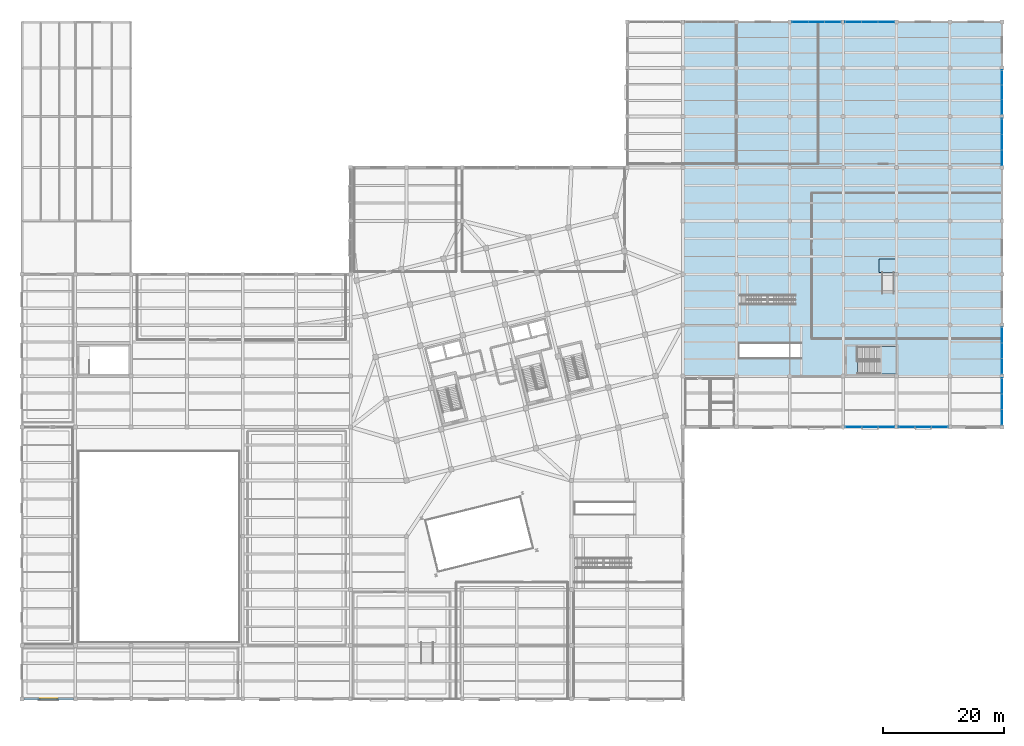
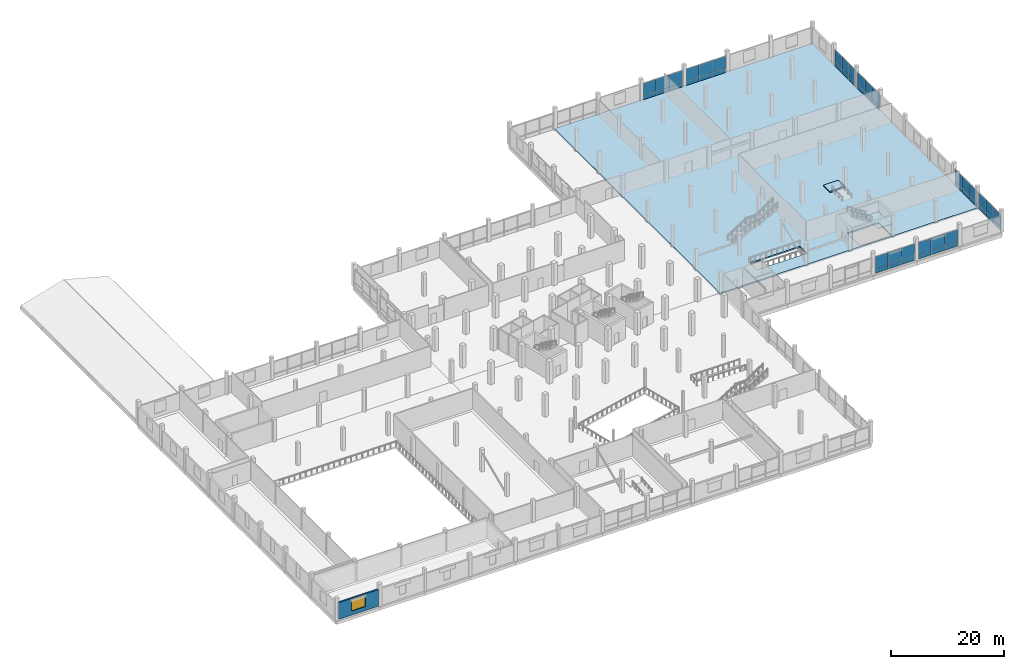
# One storey, part 55 of 71: 48 plates, 3 slabs, 1 wall, 1 window, 1 opening, 9 elements without a shape of their own.
"""IFC4 building model written with IfcOpenShell, lengths in metres."""

from ifc_helpers import new_model, si_unit, direction, frame, frame_2d, origin, origin_2d, place, context, subcontext, project, spatial, polyline, rectangle, outline, extrude, material, layer, layer_set, type_object, element, fill, aggregate, save


model = new_model("IFC4")

# Units and contexts
model_context = context("Model", 3, precision=1e-05, world=origin(), true_north=direction((0.0, 1.0)))
body_context = subcontext(model_context, "Body", "Model", "MODEL_VIEW")
ifc_project = project(units=[si_unit("LENGTHUNIT", "METRE"), si_unit("AREAUNIT", "SQUARE_METRE"), si_unit("VOLUMEUNIT", "CUBIC_METRE"), si_unit("PLANEANGLEUNIT", "RADIAN"), si_unit("MASSUNIT", "GRAM", prefix="KILO")], contexts=[model_context])

# Site, building, storey
site_placement = place(None, origin())
site = spatial("IfcSite", under=ifc_project, at=site_placement, CompositionType="ELEMENT")
building_placement = place(site_placement, origin())
building = spatial("IfcBuilding", under=site, at=building_placement, Name="Meriwether Solvik Hall", CompositionType="ELEMENT")
storey_placement = place(building_placement, frame((0.0, 0.0, 5.10009765625)))
storey = spatial("IfcBuildingStorey", under=building, at=storey_placement, Name="L01", CompositionType="ELEMENT", Elevation=5.10009765625)

# Curtain wall, plates
ifc_material_1 = material(Name="Thermally Broken Anodised Aluminium 6063-T6 and Low-E Glass", Category="aluminium")
ifc_layer_1 = layer(ifc_material_1, 0.179931640625)
ifc_layer_set_1 = layer_set([ifc_layer_1], Name="Thermally Broken Anodised Aluminium 6063-T6 and Low-E Glass")
curtain_wall_type = type_object("IfcCurtainWallType", Name="CW-SF-POD-B", PredefinedType="USERDEFINED", material=ifc_layer_set_1)
curtain_wall_1_placement = place(storey_placement, origin())
curtain_wall_1 = element("IfcCurtainWall", 1, at=curtain_wall_1_placement, inside=storey, type_object=curtain_wall_type, Name="Curtain Wall wing_XF_16_15 (L01)", ObjectType="STICK STOREFRONT GLAZING", PredefinedType="USERDEFINED")
ifc_material_2 = material(Name="Acoustic Laminated Insulating Glass", Category="glass")
ifc_layer_2 = layer(ifc_material_2, 0.035888671875)
ifc_layer_set_2 = layer_set([ifc_layer_2], Name="Acoustic Laminated Insulating Glass")
plate_type_1 = type_object("IfcPlateType", Name="PLT-GLZ-270X235", PredefinedType="CURTAIN_PANEL", material=ifc_layer_set_2)
plate_1_placement = place(storey_placement, frame((147.697998046875, 50.0, 0.8798828125), z_axis=(0.0, 0.0, 1.0), x_axis=(-1.0, 0.0, 0.0)))
plate_1 = element("IfcPlate", 2, at=plate_1_placement, type_object=plate_type_1, Name="Low-E Vision Glazing Panel 1", PredefinedType="CURTAIN_PANEL", context=body_context, shape_type="SweptSolid", body=[
    extrude(rectangle(XDim=2.64599609375, YDim=0.033935546875, at=origin_2d()), origin(), (0.0, 0.0, 1.0), 2.669921875),
])
plate_2_placement = place(storey_placement, frame((145.02490234375, 50.0, 0.8798828125), z_axis=(0.0, 0.0, 1.0), x_axis=(-1.0, 0.0, 0.0)))
plate_2 = element("IfcPlate", 3, at=plate_2_placement, type_object=plate_type_1, Name="Low-E Vision Glazing Panel 2", PredefinedType="CURTAIN_PANEL", context=body_context, shape_type="SweptSolid", body=[
    extrude(rectangle(XDim=2.68408203125, YDim=0.033935546875, at=origin_2d()), origin(), (0.0, 0.0, 1.0), 2.669921875),
])
plate_3_placement = place(storey_placement, frame((142.35205078125, 50.0, 0.8798828125), z_axis=(0.0, 0.0, 1.0), x_axis=(-1.0, 0.0, 0.0)))
plate_3 = element("IfcPlate", 4, at=plate_3_placement, type_object=plate_type_1, Name="Low-E Vision Glazing Panel 3", PredefinedType="CURTAIN_PANEL", context=body_context, shape_type="SweptSolid", body=[
    extrude(rectangle(XDim=2.64599609375, YDim=0.033935546875, at=origin_2d()), origin(), (0.0, 0.0, 1.0), 2.669921875),
])

curtain_wall_2_placement = place(storey_placement, origin())
curtain_wall_2 = element("IfcCurtainWall", 5, at=curtain_wall_2_placement, inside=storey, type_object=curtain_wall_type, Name="Curtain Wall wing_XF_17_16 (L01)", ObjectType="STICK STOREFRONT GLAZING", PredefinedType="USERDEFINED")
plate_4_placement = place(storey_placement, frame((156.48974609375, 50.0, 0.8798828125), z_axis=(0.0, 0.0, 1.0), x_axis=(-1.0, 0.0, 0.0)))
plate_4 = element("IfcPlate", 6, at=plate_4_placement, type_object=plate_type_1, Name="Low-E Vision Glazing Panel 1", PredefinedType="CURTAIN_PANEL", context=body_context, shape_type="SweptSolid", body=[
    extrude(rectangle(XDim=2.66259765625, YDim=0.033935546875, at=origin_2d()), origin(), (0.0, 0.0, 1.0), 2.669921875),
])
plate_5_placement = place(storey_placement, frame((153.800048828125, 50.0, 0.8798828125), z_axis=(0.0, 0.0, 1.0), x_axis=(-1.0, 0.0, 0.0)))
plate_5 = element("IfcPlate", 7, at=plate_5_placement, type_object=plate_type_1, Name="Low-E Vision Glazing Panel 2", PredefinedType="CURTAIN_PANEL", context=body_context, shape_type="SweptSolid", body=[
    extrude(rectangle(XDim=2.70068359375, YDim=0.033935546875, at=origin_2d()), origin(), (0.0, 0.0, 1.0), 2.669921875),
])
plate_6_placement = place(storey_placement, frame((151.1103515625, 50.0, 0.8798828125), z_axis=(0.0, 0.0, 1.0), x_axis=(-1.0, 0.0, 0.0)))
plate_6 = element("IfcPlate", 8, at=plate_6_placement, type_object=plate_type_1, Name="Low-E Vision Glazing Panel 3", PredefinedType="CURTAIN_PANEL", context=body_context, shape_type="SweptSolid", body=[
    extrude(rectangle(XDim=2.66259765625, YDim=0.033935546875, at=origin_2d()), origin(), (0.0, 0.0, 1.0), 2.669921875),
])

curtain_wall_3_placement = place(storey_placement, origin())
curtain_wall_3 = element("IfcCurtainWall", 9, at=curtain_wall_3_placement, inside=storey, type_object=curtain_wall_type, Name="Curtain Wall wing_XN_15_32 (L01)", ObjectType="STICK STOREFRONT GLAZING", PredefinedType="USERDEFINED")
plate_7_placement = place(storey_placement, frame((133.51025390625, 116.800048828125, 0.8798828125), z_axis=(0.0, 0.0, 1.0), x_axis=(1.0, 0.0, 0.0)))
plate_7 = element("IfcPlate", 10, at=plate_7_placement, type_object=plate_type_1, Name="Low-E Vision Glazing Panel 1", PredefinedType="CURTAIN_PANEL", context=body_context, shape_type="SweptSolid", body=[
    extrude(rectangle(XDim=2.66259765625, YDim=0.033935546875, at=origin_2d()), origin(), (0.0, 0.0, 1.0), 2.669921875),
])
plate_8_placement = place(storey_placement, frame((136.199951171875, 116.800048828125, 0.8798828125), z_axis=(0.0, 0.0, 1.0), x_axis=(1.0, 0.0, 0.0)))
plate_8 = element("IfcPlate", 11, at=plate_8_placement, type_object=plate_type_1, Name="Low-E Vision Glazing Panel 2", PredefinedType="CURTAIN_PANEL", context=body_context, shape_type="SweptSolid", body=[
    extrude(rectangle(XDim=2.70068359375, YDim=0.033935546875, at=origin_2d()), origin(), (0.0, 0.0, 1.0), 2.669921875),
])
plate_9_placement = place(storey_placement, frame((138.8896484375, 116.800048828125, 0.8798828125), z_axis=(0.0, 0.0, 1.0), x_axis=(1.0, 0.0, 0.0)))
plate_9 = element("IfcPlate", 12, at=plate_9_placement, type_object=plate_type_1, Name="Low-E Vision Glazing Panel 3", PredefinedType="CURTAIN_PANEL", context=body_context, shape_type="SweptSolid", body=[
    extrude(rectangle(XDim=2.66259765625, YDim=0.033935546875, at=origin_2d()), origin(), (0.0, 0.0, 1.0), 2.669921875),
])

curtain_wall_4_placement = place(storey_placement, origin())
curtain_wall_4 = element("IfcCurtainWall", 13, at=curtain_wall_4_placement, inside=storey, type_object=curtain_wall_type, Name="Curtain Wall wing_XN_16_33 (L01)", ObjectType="STICK STOREFRONT GLAZING", PredefinedType="USERDEFINED")
plate_10_placement = place(storey_placement, frame((142.310302734375, 116.800048828125, 0.8798828125), z_axis=(0.0, 0.0, 1.0), x_axis=(1.0, 0.0, 0.0)))
plate_10 = element("IfcPlate", 14, at=plate_10_placement, type_object=plate_type_1, Name="Low-E Vision Glazing Panel 1", PredefinedType="CURTAIN_PANEL", context=body_context, shape_type="SweptSolid", body=[
    extrude(rectangle(XDim=2.66259765625, YDim=0.033935546875, at=origin_2d()), origin(), (0.0, 0.0, 1.0), 2.669921875),
])
plate_11_placement = place(storey_placement, frame((145.0, 116.800048828125, 0.8798828125), z_axis=(0.0, 0.0, 1.0), x_axis=(1.0, 0.0, 0.0)))
plate_11 = element("IfcPlate", 15, at=plate_11_placement, type_object=plate_type_1, Name="Low-E Vision Glazing Panel 2", PredefinedType="CURTAIN_PANEL", context=body_context, shape_type="SweptSolid", body=[
    extrude(rectangle(XDim=2.70068359375, YDim=0.033935546875, at=origin_2d()), origin(), (0.0, 0.0, 1.0), 2.669921875),
])
plate_12_placement = place(storey_placement, frame((147.689697265625, 116.800048828125, 0.8798828125), z_axis=(0.0, 0.0, 1.0), x_axis=(1.0, 0.0, 0.0)))
plate_12 = element("IfcPlate", 16, at=plate_12_placement, type_object=plate_type_1, Name="Low-E Vision Glazing Panel 3", PredefinedType="CURTAIN_PANEL", context=body_context, shape_type="SweptSolid", body=[
    extrude(rectangle(XDim=2.66259765625, YDim=0.033935546875, at=origin_2d()), origin(), (0.0, 0.0, 1.0), 2.669921875),
])

curtain_wall_5_placement = place(storey_placement, origin())
curtain_wall_5 = element("IfcCurtainWall", 17, at=curtain_wall_5_placement, inside=storey, type_object=curtain_wall_type, Name="Curtain Wall wing_Y19_6_54 (L01)", ObjectType="STICK STOREFRONT GLAZING", PredefinedType="USERDEFINED")
plate_13_placement = place(storey_placement, frame((166.800048828125, 56.75634765625, 0.8798828125), z_axis=(0.0, 0.0, 1.0), x_axis=(0.0, -1.0, 0.0)))
plate_13 = element("IfcPlate", 18, at=plate_13_placement, type_object=plate_type_1, Name="Low-E Vision Glazing Panel 1", PredefinedType="CURTAIN_PANEL", context=body_context, shape_type="SweptSolid", body=[
    extrude(rectangle(XDim=2.529296875, YDim=0.033935546875, at=origin_2d()), origin(), (0.0, 0.0, 1.0), 2.669921875),
])
plate_14_placement = place(storey_placement, frame((166.800048828125, 54.199951171875, 0.8798828125), z_axis=(0.0, 0.0, 1.0), x_axis=(0.0, -1.0, 0.0)))
plate_14 = element("IfcPlate", 19, at=plate_14_placement, type_object=plate_type_1, Name="Low-E Vision Glazing Panel 2", PredefinedType="CURTAIN_PANEL", context=body_context, shape_type="SweptSolid", body=[
    extrude(rectangle(XDim=2.5673828125, YDim=0.033935546875, at=origin_2d()), origin(), (0.0, 0.0, 1.0), 2.669921875),
])
plate_15_placement = place(storey_placement, frame((166.800048828125, 51.6435546875, 0.8798828125), z_axis=(0.0, 0.0, 1.0), x_axis=(0.0, -1.0, 0.0)))
plate_15 = element("IfcPlate", 20, at=plate_15_placement, type_object=plate_type_1, Name="Low-E Vision Glazing Panel 3", PredefinedType="CURTAIN_PANEL", context=body_context, shape_type="SweptSolid", body=[
    extrude(rectangle(XDim=2.529296875, YDim=0.033935546875, at=origin_2d()), origin(), (0.0, 0.0, 1.0), 2.669921875),
])

curtain_wall_6_placement = place(storey_placement, origin())
curtain_wall_6 = element("IfcCurtainWall", 21, at=curtain_wall_6_placement, inside=storey, type_object=curtain_wall_type, Name="Curtain Wall wing_Y19_7_55 (L01)", ObjectType="STICK STOREFRONT GLAZING", PredefinedType="USERDEFINED")
plate_16_placement = place(storey_placement, frame((166.800048828125, 65.15625, 0.8798828125), z_axis=(0.0, 0.0, 1.0), x_axis=(0.0, -1.0, 0.0)))
plate_16 = element("IfcPlate", 22, at=plate_16_placement, type_object=plate_type_1, Name="Low-E Vision Glazing Panel 1", PredefinedType="CURTAIN_PANEL", context=body_context, shape_type="SweptSolid", body=[
    extrude(rectangle(XDim=2.529296875, YDim=0.033935546875, at=origin_2d()), origin(), (0.0, 0.0, 1.0), 2.669921875),
])
plate_17_placement = place(storey_placement, frame((166.800048828125, 62.60009765625, 0.8798828125), z_axis=(0.0, 0.0, 1.0), x_axis=(0.0, -1.0, 0.0)))
plate_17 = element("IfcPlate", 23, at=plate_17_placement, type_object=plate_type_1, Name="Low-E Vision Glazing Panel 2", PredefinedType="CURTAIN_PANEL", context=body_context, shape_type="SweptSolid", body=[
    extrude(rectangle(XDim=2.5673828125, YDim=0.033935546875, at=origin_2d()), origin(), (0.0, 0.0, 1.0), 2.669921875),
])
plate_18_placement = place(storey_placement, frame((166.800048828125, 60.043701171875, 0.8798828125), z_axis=(0.0, 0.0, 1.0), x_axis=(0.0, -1.0, 0.0)))
plate_18 = element("IfcPlate", 24, at=plate_18_placement, type_object=plate_type_1, Name="Low-E Vision Glazing Panel 3", PredefinedType="CURTAIN_PANEL", context=body_context, shape_type="SweptSolid", body=[
    extrude(rectangle(XDim=2.529296875, YDim=0.033935546875, at=origin_2d()), origin(), (0.0, 0.0, 1.0), 2.669921875),
])

curtain_wall_7_placement = place(storey_placement, origin())
curtain_wall_7 = element("IfcCurtainWall", 25, at=curtain_wall_7_placement, inside=storey, type_object=curtain_wall_type, Name="Curtain Wall wing_Y19_11_59 (L01)", ObjectType="STICK STOREFRONT GLAZING", PredefinedType="USERDEFINED")
plate_19_placement = place(storey_placement, frame((166.800048828125, 99.556396484375, 0.8798828125), z_axis=(0.0, 0.0, 1.0), x_axis=(0.0, -1.0, 0.0)))
plate_19 = element("IfcPlate", 26, at=plate_19_placement, type_object=plate_type_1, Name="Low-E Vision Glazing Panel 1", PredefinedType="CURTAIN_PANEL", context=body_context, shape_type="SweptSolid", body=[
    extrude(rectangle(XDim=2.529296875, YDim=0.033935546875, at=origin_2d()), origin(), (0.0, 0.0, 1.0), 2.669921875),
])
plate_20_placement = place(storey_placement, frame((166.800048828125, 97.0, 0.8798828125), z_axis=(0.0, 0.0, 1.0), x_axis=(0.0, -1.0, 0.0)))
plate_20 = element("IfcPlate", 27, at=plate_20_placement, type_object=plate_type_1, Name="Low-E Vision Glazing Panel 2", PredefinedType="CURTAIN_PANEL", context=body_context, shape_type="SweptSolid", body=[
    extrude(rectangle(XDim=2.5673828125, YDim=0.033935546875, at=origin_2d()), origin(), (0.0, 0.0, 1.0), 2.669921875),
])
plate_21_placement = place(storey_placement, frame((166.800048828125, 94.443603515625, 0.8798828125), z_axis=(0.0, 0.0, 1.0), x_axis=(0.0, -1.0, 0.0)))
plate_21 = element("IfcPlate", 28, at=plate_21_placement, type_object=plate_type_1, Name="Low-E Vision Glazing Panel 3", PredefinedType="CURTAIN_PANEL", context=body_context, shape_type="SweptSolid", body=[
    extrude(rectangle(XDim=2.529296875, YDim=0.033935546875, at=origin_2d()), origin(), (0.0, 0.0, 1.0), 2.669921875),
])

curtain_wall_8_placement = place(storey_placement, origin())
curtain_wall_8 = element("IfcCurtainWall", 29, at=curtain_wall_8_placement, inside=storey, type_object=curtain_wall_type, Name="Curtain Wall wing_Y19_12_60 (L01)", ObjectType="STICK STOREFRONT GLAZING", PredefinedType="USERDEFINED")
plate_22_placement = place(storey_placement, frame((166.800048828125, 107.623046875, 0.8798828125), z_axis=(0.0, 0.0, 1.0), x_axis=(0.0, -1.0, 0.0)))
plate_22 = element("IfcPlate", 30, at=plate_22_placement, type_object=plate_type_1, Name="Low-E Vision Glazing Panel 1", PredefinedType="CURTAIN_PANEL", context=body_context, shape_type="SweptSolid", body=[
    extrude(rectangle(XDim=2.39599609375, YDim=0.033935546875, at=origin_2d()), origin(), (0.0, 0.0, 1.0), 2.669921875),
])
plate_23_placement = place(storey_placement, frame((166.800048828125, 105.199951171875, 0.8798828125), z_axis=(0.0, 0.0, 1.0), x_axis=(0.0, -1.0, 0.0)))
plate_23 = element("IfcPlate", 31, at=plate_23_placement, type_object=plate_type_1, Name="Low-E Vision Glazing Panel 2", PredefinedType="CURTAIN_PANEL", context=body_context, shape_type="SweptSolid", body=[
    extrude(rectangle(XDim=2.43408203125, YDim=0.033935546875, at=origin_2d()), origin(), (0.0, 0.0, 1.0), 2.669921875),
])
plate_24_placement = place(storey_placement, frame((166.800048828125, 102.777099609375, 0.8798828125), z_axis=(0.0, 0.0, 1.0), x_axis=(0.0, -1.0, 0.0)))
plate_24 = element("IfcPlate", 32, at=plate_24_placement, type_object=plate_type_1, Name="Low-E Vision Glazing Panel 3", PredefinedType="CURTAIN_PANEL", context=body_context, shape_type="SweptSolid", body=[
    extrude(rectangle(XDim=2.39599609375, YDim=0.033935546875, at=origin_2d()), origin(), (0.0, 0.0, 1.0), 2.669921875),
])

# Plate
ifc_material_3 = material(Name="Mineral-Wool Insulated Anodised Aluminium 6063-T6", Category="aluminium")
ifc_layer_3 = layer(ifc_material_3, 0.044921875)
ifc_layer_set_3 = layer_set([ifc_layer_3], Name="Mineral-Wool Insulated Anodised Aluminium 6063-T6")
plate_type_2 = type_object("IfcPlateType", Name="PLT-SPN-270X105", PredefinedType="CURTAIN_PANEL", material=ifc_layer_set_3)
plate_25_placement = place(storey_placement, frame((147.697998046875, 50.0, 0.0), z_axis=(0.0, 0.0, 1.0), x_axis=(-1.0, 0.0, 0.0)))
plate_25 = element("IfcPlate", 33, at=plate_25_placement, type_object=plate_type_2, Name="Insulated Spandrel Panel 1", PredefinedType="CURTAIN_PANEL", context=body_context, shape_type="SweptSolid", body=[
    extrude(rectangle(XDim=2.64599609375, YDim=0.044921875, at=origin_2d()), origin(), (0.0, 0.0, 1.0), 0.8798828125),
])

plate_26_placement = place(storey_placement, frame((145.02490234375, 50.0, 0.0), z_axis=(0.0, 0.0, 1.0), x_axis=(-1.0, 0.0, 0.0)))
plate_26 = element("IfcPlate", 34, at=plate_26_placement, type_object=plate_type_2, Name="Insulated Spandrel Panel 2", PredefinedType="CURTAIN_PANEL", context=body_context, shape_type="SweptSolid", body=[
    extrude(rectangle(XDim=2.68408203125, YDim=0.044921875, at=origin_2d()), origin(), (0.0, 0.0, 1.0), 0.8798828125),
])

plate_27_placement = place(storey_placement, frame((142.35205078125, 50.0, 0.0), z_axis=(0.0, 0.0, 1.0), x_axis=(-1.0, 0.0, 0.0)))
plate_27 = element("IfcPlate", 35, at=plate_27_placement, type_object=plate_type_2, Name="Insulated Spandrel Panel 3", PredefinedType="CURTAIN_PANEL", context=body_context, shape_type="SweptSolid", body=[
    extrude(rectangle(XDim=2.64599609375, YDim=0.044921875, at=origin_2d()), origin(), (0.0, 0.0, 1.0), 0.8798828125),
])

aggregate(curtain_wall_1, [plate_25, plate_1, plate_26, plate_2, plate_27, plate_3])

plate_28_placement = place(storey_placement, frame((156.48974609375, 50.0, 0.0), z_axis=(0.0, 0.0, 1.0), x_axis=(-1.0, 0.0, 0.0)))
plate_28 = element("IfcPlate", 36, at=plate_28_placement, type_object=plate_type_2, Name="Insulated Spandrel Panel 1", PredefinedType="CURTAIN_PANEL", context=body_context, shape_type="SweptSolid", body=[
    extrude(rectangle(XDim=2.66259765625, YDim=0.044921875, at=origin_2d()), origin(), (0.0, 0.0, 1.0), 0.8798828125),
])

plate_29_placement = place(storey_placement, frame((153.800048828125, 50.0, 0.0), z_axis=(0.0, 0.0, 1.0), x_axis=(-1.0, 0.0, 0.0)))
plate_29 = element("IfcPlate", 37, at=plate_29_placement, type_object=plate_type_2, Name="Insulated Spandrel Panel 2", PredefinedType="CURTAIN_PANEL", context=body_context, shape_type="SweptSolid", body=[
    extrude(rectangle(XDim=2.70068359375, YDim=0.044921875, at=origin_2d()), origin(), (0.0, 0.0, 1.0), 0.8798828125),
])

plate_30_placement = place(storey_placement, frame((151.1103515625, 50.0, 0.0), z_axis=(0.0, 0.0, 1.0), x_axis=(-1.0, 0.0, 0.0)))
plate_30 = element("IfcPlate", 38, at=plate_30_placement, type_object=plate_type_2, Name="Insulated Spandrel Panel 3", PredefinedType="CURTAIN_PANEL", context=body_context, shape_type="SweptSolid", body=[
    extrude(rectangle(XDim=2.66259765625, YDim=0.044921875, at=origin_2d()), origin(), (0.0, 0.0, 1.0), 0.8798828125),
])

aggregate(curtain_wall_2, [plate_28, plate_4, plate_29, plate_5, plate_30, plate_6])

plate_31_placement = place(storey_placement, frame((133.51025390625, 116.800048828125, 0.0), z_axis=(0.0, 0.0, 1.0), x_axis=(1.0, 0.0, 0.0)))
plate_31 = element("IfcPlate", 39, at=plate_31_placement, type_object=plate_type_2, Name="Insulated Spandrel Panel 1", PredefinedType="CURTAIN_PANEL", context=body_context, shape_type="SweptSolid", body=[
    extrude(rectangle(XDim=2.66259765625, YDim=0.044921875, at=origin_2d()), origin(), (0.0, 0.0, 1.0), 0.8798828125),
])

plate_32_placement = place(storey_placement, frame((136.199951171875, 116.800048828125, 0.0), z_axis=(0.0, 0.0, 1.0), x_axis=(1.0, 0.0, 0.0)))
plate_32 = element("IfcPlate", 40, at=plate_32_placement, type_object=plate_type_2, Name="Insulated Spandrel Panel 2", PredefinedType="CURTAIN_PANEL", context=body_context, shape_type="SweptSolid", body=[
    extrude(rectangle(XDim=2.70068359375, YDim=0.044921875, at=origin_2d()), origin(), (0.0, 0.0, 1.0), 0.8798828125),
])

plate_33_placement = place(storey_placement, frame((138.8896484375, 116.800048828125, 0.0), z_axis=(0.0, 0.0, 1.0), x_axis=(1.0, 0.0, 0.0)))
plate_33 = element("IfcPlate", 41, at=plate_33_placement, type_object=plate_type_2, Name="Insulated Spandrel Panel 3", PredefinedType="CURTAIN_PANEL", context=body_context, shape_type="SweptSolid", body=[
    extrude(rectangle(XDim=2.66259765625, YDim=0.044921875, at=origin_2d()), origin(), (0.0, 0.0, 1.0), 0.8798828125),
])

aggregate(curtain_wall_3, [plate_31, plate_7, plate_32, plate_8, plate_33, plate_9])

plate_34_placement = place(storey_placement, frame((142.310302734375, 116.800048828125, 0.0), z_axis=(0.0, 0.0, 1.0), x_axis=(1.0, 0.0, 0.0)))
plate_34 = element("IfcPlate", 42, at=plate_34_placement, type_object=plate_type_2, Name="Insulated Spandrel Panel 1", PredefinedType="CURTAIN_PANEL", context=body_context, shape_type="SweptSolid", body=[
    extrude(rectangle(XDim=2.66259765625, YDim=0.044921875, at=origin_2d()), origin(), (0.0, 0.0, 1.0), 0.8798828125),
])

plate_35_placement = place(storey_placement, frame((145.0, 116.800048828125, 0.0), z_axis=(0.0, 0.0, 1.0), x_axis=(1.0, 0.0, 0.0)))
plate_35 = element("IfcPlate", 43, at=plate_35_placement, type_object=plate_type_2, Name="Insulated Spandrel Panel 2", PredefinedType="CURTAIN_PANEL", context=body_context, shape_type="SweptSolid", body=[
    extrude(rectangle(XDim=2.70068359375, YDim=0.044921875, at=origin_2d()), origin(), (0.0, 0.0, 1.0), 0.8798828125),
])

plate_36_placement = place(storey_placement, frame((147.689697265625, 116.800048828125, 0.0), z_axis=(0.0, 0.0, 1.0), x_axis=(1.0, 0.0, 0.0)))
plate_36 = element("IfcPlate", 44, at=plate_36_placement, type_object=plate_type_2, Name="Insulated Spandrel Panel 3", PredefinedType="CURTAIN_PANEL", context=body_context, shape_type="SweptSolid", body=[
    extrude(rectangle(XDim=2.66259765625, YDim=0.044921875, at=origin_2d()), origin(), (0.0, 0.0, 1.0), 0.8798828125),
])

aggregate(curtain_wall_4, [plate_34, plate_10, plate_35, plate_11, plate_36, plate_12])

plate_37_placement = place(storey_placement, frame((166.800048828125, 56.75634765625, 0.0), z_axis=(0.0, 0.0, 1.0), x_axis=(0.0, -1.0, 0.0)))
plate_37 = element("IfcPlate", 45, at=plate_37_placement, type_object=plate_type_2, Name="Insulated Spandrel Panel 1", PredefinedType="CURTAIN_PANEL", context=body_context, shape_type="SweptSolid", body=[
    extrude(rectangle(XDim=2.529296875, YDim=0.044921875, at=origin_2d()), origin(), (0.0, 0.0, 1.0), 0.8798828125),
])

plate_38_placement = place(storey_placement, frame((166.800048828125, 54.199951171875, 0.0), z_axis=(0.0, 0.0, 1.0), x_axis=(0.0, -1.0, 0.0)))
plate_38 = element("IfcPlate", 46, at=plate_38_placement, type_object=plate_type_2, Name="Insulated Spandrel Panel 2", PredefinedType="CURTAIN_PANEL", context=body_context, shape_type="SweptSolid", body=[
    extrude(rectangle(XDim=2.5673828125, YDim=0.044921875, at=origin_2d()), origin(), (0.0, 0.0, 1.0), 0.8798828125),
])

plate_39_placement = place(storey_placement, frame((166.800048828125, 51.6435546875, 0.0), z_axis=(0.0, 0.0, 1.0), x_axis=(0.0, -1.0, 0.0)))
plate_39 = element("IfcPlate", 47, at=plate_39_placement, type_object=plate_type_2, Name="Insulated Spandrel Panel 3", PredefinedType="CURTAIN_PANEL", context=body_context, shape_type="SweptSolid", body=[
    extrude(rectangle(XDim=2.529296875, YDim=0.044921875, at=origin_2d()), origin(), (0.0, 0.0, 1.0), 0.8798828125),
])

aggregate(curtain_wall_5, [plate_37, plate_13, plate_38, plate_14, plate_39, plate_15])

plate_40_placement = place(storey_placement, frame((166.800048828125, 65.15625, 0.0), z_axis=(0.0, 0.0, 1.0), x_axis=(0.0, -1.0, 0.0)))
plate_40 = element("IfcPlate", 48, at=plate_40_placement, type_object=plate_type_2, Name="Insulated Spandrel Panel 1", PredefinedType="CURTAIN_PANEL", context=body_context, shape_type="SweptSolid", body=[
    extrude(rectangle(XDim=2.529296875, YDim=0.044921875, at=origin_2d()), origin(), (0.0, 0.0, 1.0), 0.8798828125),
])

plate_41_placement = place(storey_placement, frame((166.800048828125, 62.60009765625, 0.0), z_axis=(0.0, 0.0, 1.0), x_axis=(0.0, -1.0, 0.0)))
plate_41 = element("IfcPlate", 49, at=plate_41_placement, type_object=plate_type_2, Name="Insulated Spandrel Panel 2", PredefinedType="CURTAIN_PANEL", context=body_context, shape_type="SweptSolid", body=[
    extrude(rectangle(XDim=2.5673828125, YDim=0.044921875, at=origin_2d()), origin(), (0.0, 0.0, 1.0), 0.8798828125),
])

plate_42_placement = place(storey_placement, frame((166.800048828125, 60.043701171875, 0.0), z_axis=(0.0, 0.0, 1.0), x_axis=(0.0, -1.0, 0.0)))
plate_42 = element("IfcPlate", 50, at=plate_42_placement, type_object=plate_type_2, Name="Insulated Spandrel Panel 3", PredefinedType="CURTAIN_PANEL", context=body_context, shape_type="SweptSolid", body=[
    extrude(rectangle(XDim=2.529296875, YDim=0.044921875, at=origin_2d()), origin(), (0.0, 0.0, 1.0), 0.8798828125),
])

aggregate(curtain_wall_6, [plate_40, plate_16, plate_41, plate_17, plate_42, plate_18])

plate_43_placement = place(storey_placement, frame((166.800048828125, 99.556396484375, 0.0), z_axis=(0.0, 0.0, 1.0), x_axis=(0.0, -1.0, 0.0)))
plate_43 = element("IfcPlate", 51, at=plate_43_placement, type_object=plate_type_2, Name="Insulated Spandrel Panel 1", PredefinedType="CURTAIN_PANEL", context=body_context, shape_type="SweptSolid", body=[
    extrude(rectangle(XDim=2.529296875, YDim=0.044921875, at=origin_2d()), origin(), (0.0, 0.0, 1.0), 0.8798828125),
])

plate_44_placement = place(storey_placement, frame((166.800048828125, 97.0, 0.0), z_axis=(0.0, 0.0, 1.0), x_axis=(0.0, -1.0, 0.0)))
plate_44 = element("IfcPlate", 52, at=plate_44_placement, type_object=plate_type_2, Name="Insulated Spandrel Panel 2", PredefinedType="CURTAIN_PANEL", context=body_context, shape_type="SweptSolid", body=[
    extrude(rectangle(XDim=2.5673828125, YDim=0.044921875, at=origin_2d()), origin(), (0.0, 0.0, 1.0), 0.8798828125),
])

plate_45_placement = place(storey_placement, frame((166.800048828125, 94.443603515625, 0.0), z_axis=(0.0, 0.0, 1.0), x_axis=(0.0, -1.0, 0.0)))
plate_45 = element("IfcPlate", 53, at=plate_45_placement, type_object=plate_type_2, Name="Insulated Spandrel Panel 3", PredefinedType="CURTAIN_PANEL", context=body_context, shape_type="SweptSolid", body=[
    extrude(rectangle(XDim=2.529296875, YDim=0.044921875, at=origin_2d()), origin(), (0.0, 0.0, 1.0), 0.8798828125),
])

aggregate(curtain_wall_7, [plate_43, plate_19, plate_44, plate_20, plate_45, plate_21])

plate_46_placement = place(storey_placement, frame((166.800048828125, 107.623046875, 0.0), z_axis=(0.0, 0.0, 1.0), x_axis=(0.0, -1.0, 0.0)))
plate_46 = element("IfcPlate", 54, at=plate_46_placement, type_object=plate_type_2, Name="Insulated Spandrel Panel 1", PredefinedType="CURTAIN_PANEL", context=body_context, shape_type="SweptSolid", body=[
    extrude(rectangle(XDim=2.39599609375, YDim=0.044921875, at=origin_2d()), origin(), (0.0, 0.0, 1.0), 0.8798828125),
])

plate_47_placement = place(storey_placement, frame((166.800048828125, 105.199951171875, 0.0), z_axis=(0.0, 0.0, 1.0), x_axis=(0.0, -1.0, 0.0)))
plate_47 = element("IfcPlate", 55, at=plate_47_placement, type_object=plate_type_2, Name="Insulated Spandrel Panel 2", PredefinedType="CURTAIN_PANEL", context=body_context, shape_type="SweptSolid", body=[
    extrude(rectangle(XDim=2.43408203125, YDim=0.044921875, at=origin_2d()), origin(), (0.0, 0.0, 1.0), 0.8798828125),
])

plate_48_placement = place(storey_placement, frame((166.800048828125, 102.777099609375, 0.0), z_axis=(0.0, 0.0, 1.0), x_axis=(0.0, -1.0, 0.0)))
plate_48 = element("IfcPlate", 56, at=plate_48_placement, type_object=plate_type_2, Name="Insulated Spandrel Panel 3", PredefinedType="CURTAIN_PANEL", context=body_context, shape_type="SweptSolid", body=[
    extrude(rectangle(XDim=2.39599609375, YDim=0.044921875, at=origin_2d()), origin(), (0.0, 0.0, 1.0), 0.8798828125),
])

aggregate(curtain_wall_8, [plate_46, plate_22, plate_47, plate_23, plate_48, plate_24])

# Slab
ifc_material_4 = material(Name="Concrete C40/50", Category="concrete")
ifc_layer_4 = layer(ifc_material_4, 0.280029296875)
ifc_layer_set_4 = layer_set([ifc_layer_4], Name="Concrete C40/50")
slab_type_1 = type_object("IfcSlabType", Name="SLB-DAIS-280", PredefinedType="FLOOR", material=ifc_layer_set_4)
slab_1_placement = place(storey_placement, origin())
element("IfcSlab", 57, at=slab_1_placement, inside=storey, type_object=slab_type_1, Name="Accessible Speaker Dais AR4 (L01)", PredefinedType="FLOOR", context=body_context, shape_type="SweptSolid", body=[
    extrude(outline(polyline([(146.5, 75.48193359375), (149.5, 75.48193359375), (149.5, 77.739990234375), (146.5, 77.739990234375), (146.5, 75.48193359375)])), origin(), (0.0, 0.0, 1.0), 0.27978515625),
])

# Stair, slab
ifc_material_5 = material(Name="Concrete C40/50", Category="concrete")
stair_type = type_object("IfcStairType", Name="STR-CORE-WIDE", PredefinedType="TWO_STRAIGHT_RUN_STAIR", material=ifc_material_5)
stair_placement = place(storey_placement, origin())
stair = element("IfcStair", 58, at=stair_placement, inside=storey, type_object=stair_type, Name="Exit Stair ST-05 (L01)", PredefinedType="TWO_STRAIGHT_RUN_STAIR")
ifc_material_6 = material(Name="Concrete C40/50", Category="concrete")
ifc_layer_5 = layer(ifc_material_6, 0.199951171875)
ifc_layer_set_5 = layer_set([ifc_layer_5], Name="Concrete C40/50")
slab_type_2 = type_object("IfcSlabType", Name="SLB-LND-200", PredefinedType="LANDING", material=ifc_layer_set_5)
slab_2_placement = place(storey_placement, frame((0.0, 0.0, 2.199951171875)))
slab_2 = element("IfcSlab", 59, at=slab_2_placement, type_object=slab_type_2, Name="Stair ST-05 Half Landing (L01)", PredefinedType="LANDING", context=body_context, shape_type="SweptSolid", body=[
    extrude(outline(polyline([(146.636962890625, 58.7451171875), (149.405029296875, 58.7451171875), (149.405029296875, 63.2548828125), (146.636962890625, 63.2548828125), (146.636962890625, 58.7451171875)])), origin(), (0.0, 0.0, 1.0), 0.199951171875),
])
aggregate(stair, [slab_2])

# Slab
ifc_material_7 = material(Name="Concrete C40/50", Category="concrete")
ifc_layer_6 = layer(ifc_material_7, 0.300048828125)
ifc_layer_set_6 = layer_set([ifc_layer_6], Name="Concrete C40/50")
slab_type_3 = type_object("IfcSlabType", Name="SLB-RC-300", PredefinedType="FLOOR", material=ifc_layer_set_6)
slab_3_placement = place(storey_placement, frame((0.0, 0.0, -0.300048828125)))
element("IfcSlab", 60, at=slab_3_placement, inside=storey, type_object=slab_type_3, Name="L01 Structural Slab Zone 6", PredefinedType="FLOOR", context=body_context, shape_type="SweptSolid", body=[
    extrude(outline(polyline([(114.202880859375, 116.9599609375), (166.9599609375, 116.9599609375), (166.9599609375, 58.403076171875), (114.202880859375, 58.403076171875), (114.202880859375, 116.9599609375)]), holes=[polyline([(149.39990234375, 58.75), (149.39990234375, 63.25), (142.968017578125, 63.25), (142.968017578125, 58.75), (149.39990234375, 58.75)]), polyline([(133.672119140625, 61.3701171875), (133.672119140625, 63.830078125), (123.449951171875, 63.830078125), (123.449951171875, 61.3701171875), (133.672119140625, 61.3701171875)])]), origin(), (0.0, 0.0, 1.0), 0.300048828125),
])

# Wall, opening, window
ifc_material_8 = material(Name="Concrete C40/50 Precast", Category="concrete")
ifc_layer_7 = layer(ifc_material_8, 0.340087890625)
ifc_layer_set_7 = layer_set([ifc_layer_7], Name="Concrete C40/50 Precast")
wall_type = type_object("IfcWallType", Name="WALL-EXT-340", PredefinedType="SOLIDWALL", material=ifc_layer_set_7)
wall_placement = place(storey_placement, frame((13.6630859375, 5.199951171875, 0.0), z_axis=(0.0, 0.0, 1.0), x_axis=(-1.0, 0.0, 0.0)))
wall = element("IfcWall", 61, at=wall_placement, inside=storey, type_object=wall_type, Name="L01 S Wing Facade Wall XA_1_0", PredefinedType="SOLIDWALL", context=body_context, shape_type="SweptSolid", body=[
    extrude(rectangle(XDim=8.1259765625, YDim=0.340087890625, at=frame_2d((4.06298828125, 0.0))), origin(), (0.0, 0.0, 1.0), 3.60986328125),
])
opening_placement = place(wall_placement, frame((2.6630859375, 0.0, 0.85009765625)))
opening = element("IfcOpeningElement", 62, at=opening_placement, cuts=wall, Name="Opening WN-165", PredefinedType="OPENING", context=body_context, shape_type="SweptSolid", body=[
    extrude(rectangle(XDim=2.800048828125, YDim=2.449951171875, at=frame_2d((1.39990234375, 1.22509765625))), frame((0.0, 0.18212890625, 0.0), z_axis=(0.0, -1.0, 0.0), x_axis=(1.0, 0.0, 0.0)), (0.0, 0.0, 1.0), 0.364013671875),
])
ifc_material_9 = material(Name="Thermally Broken Anodised Aluminium and Triple Low-E Glass", Category="aluminium")
window_type = type_object("IfcWindowType", Name="WIN-POD-SOUTH-280X245", PartitioningType="SINGLE_PANEL", PredefinedType="WINDOW", material=ifc_material_9)
window_placement = place(opening_placement, origin())
window = element("IfcWindow", 63, at=window_placement, inside=storey, type_object=window_type, Name="L01 S Window XA_1_0", OverallHeight=2.449951171875, OverallWidth=2.800048828125, PartitioningType="SINGLE_PANEL", PredefinedType="WINDOW", context=body_context, shape_type="SweptSolid", body=[
    extrude(rectangle(XDim=2.800048828125, YDim=2.449951171875, at=frame_2d((1.39990234375, 1.22509765625))), frame((0.0, 0.030029296875, 0.0), z_axis=(0.0, -1.0, 0.0), x_axis=(1.0, 0.0, 0.0)), (0.0, 0.0, 1.0), 0.06005859375),
])
fill(opening, window)

save(model, "model.ifc")
